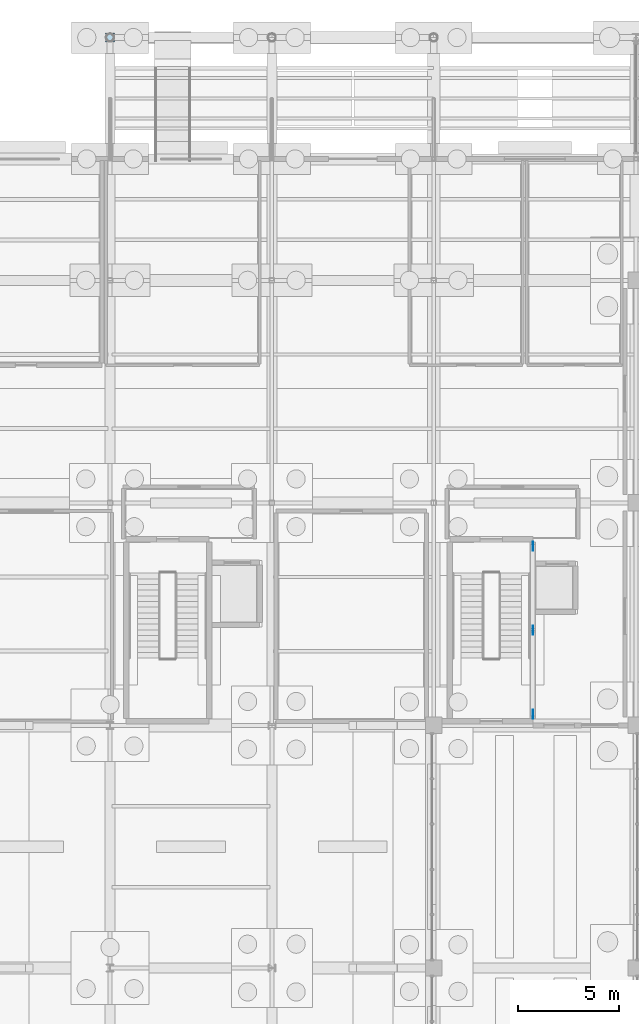
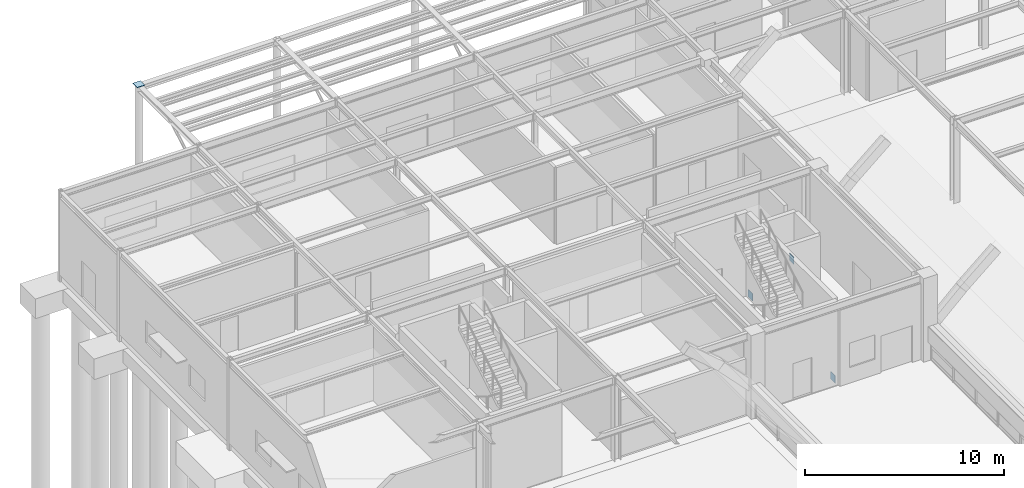
# One storey, part 96 of 129: 4 plates.
"""IFC4 building model written with IfcOpenShell, lengths in metres."""

from ifc_helpers import new_model, si_unit, direction, frame, origin, origin_2d, place, context, subcontext, project, spatial, rectangle, extrude, material, layer, layer_set, type_object, element, save


model = new_model("IFC4")

# Units and contexts
model_context = context("Model", 3, precision=1e-05, world=origin(), true_north=direction((0.0, 1.0)))
body_context = subcontext(model_context, "Body", "Model", "MODEL_VIEW")
ifc_project = project(units=[si_unit("LENGTHUNIT", "METRE"), si_unit("AREAUNIT", "SQUARE_METRE"), si_unit("VOLUMEUNIT", "CUBIC_METRE"), si_unit("PLANEANGLEUNIT", "RADIAN"), si_unit("MASSUNIT", "GRAM", prefix="KILO")], contexts=[model_context])

# Site, building, storey
site_placement = place(None, origin())
site = spatial("IfcSite", under=ifc_project, at=site_placement, CompositionType="ELEMENT")
building_placement = place(site_placement, origin())
building = spatial("IfcBuilding", under=site, at=building_placement, Name="Sitalva Quay Ferry Terminal", CompositionType="ELEMENT")
storey_placement = place(building_placement, origin())
storey = spatial("IfcBuildingStorey", under=building, at=storey_placement, Name="L01", CompositionType="ELEMENT", Elevation=0.0)

# Plates
ifc_material = material(Name="Structural Steel S355JR", Category="steel")
ifc_layer = layer(ifc_material, 0.02392578125)
ifc_layer_set = layer_set([ifc_layer], Name="Structural Steel S355JR")
plate_type = type_object("IfcPlateType", Name="Gusset_450x450x24", PredefinedType="USERDEFINED", material=ifc_layer_set)
plate_placement = place(storey_placement, frame((16.0, 112.0, 5.1201171875), z_axis=(0.0, 0.0, 1.0), x_axis=(1.0, 0.0, 0.0)))
element("IfcPlate", 1, at=plate_placement, inside=storey, type_object=plate_type, Name="Entrance canopy column 3N head cap plate", ObjectType="FLANGE_PLATE", PredefinedType="USERDEFINED", context=body_context, shape_type="SweptSolid", body=[
    extrude(rectangle(XDim=0.449951171875, YDim=0.449951171875, at=origin_2d()), origin(), (0.0, 0.0, 1.0), 0.02392578125),
])
for number, where, z_axis, x_axis, name in (
    (2, (36.89990234375, 82.699951171875, 4.6748046875), (0.0, 0.0, 1.0), (1.0, 0.0, 0.0), "Braced frame BF1 L01 APEX gusset"),
    (3, (36.89990234375, 78.550048828125, -0.0751953125), (0.0, 0.0, 1.0), (1.0, 0.0, 0.0), "Braced frame BF1 L01 BASE-A gusset"),
    (4, (36.89990234375, 86.85009765625, -0.0751953125), (0.0, 0.0, 1.0), (1.0, 0.0, 0.0), "Braced frame BF1 L01 BASE-B gusset"),
):
    element("IfcPlate", number, at=place(storey_placement, frame(where, z_axis=z_axis, x_axis=x_axis)), inside=storey, type_object=plate_type, Name=name, ObjectType="FLANGE_PLATE", PredefinedType="USERDEFINED", context=body_context, shape_type="SweptSolid", body=[
        extrude(rectangle(XDim=0.02392578125, YDim=0.449951171875, at=origin_2d()), origin(), (0.0, 0.0, 1.0), 0.449951171875),
    ])

save(model, "model.ifc")
